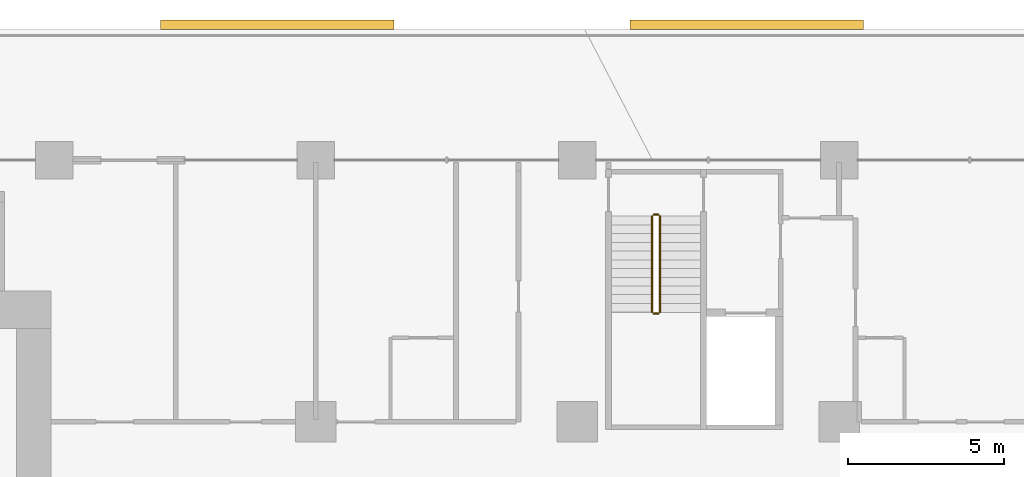
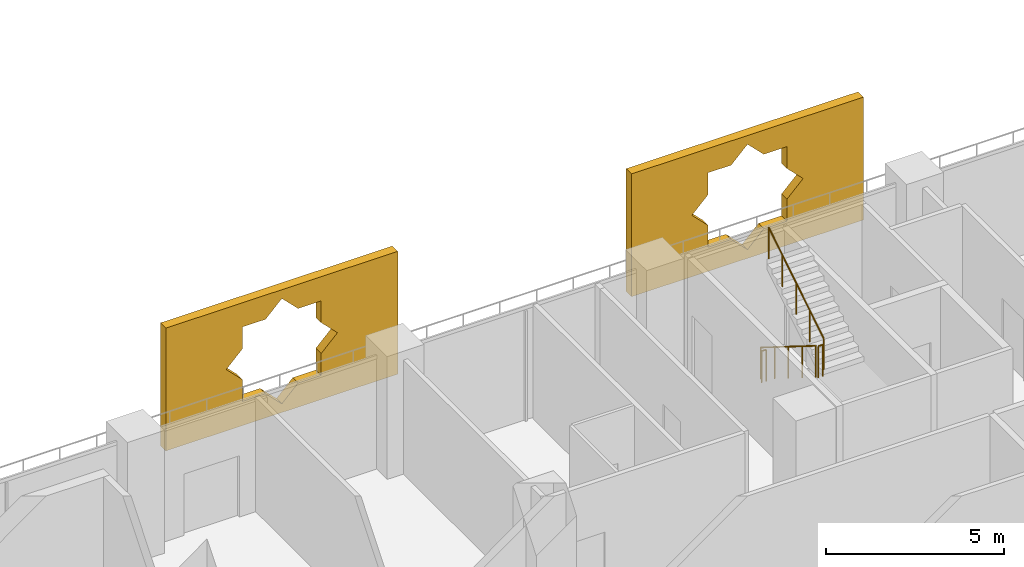
# One storey, part 25 of 26: 4 railings, 2 coverings.
"""IFC4 building model written with IfcOpenShell, lengths in metres."""

from ifc_helpers import new_model, si_unit, direction, frame, origin, origin_2d, place, context, subcontext, project, spatial, polyline, circle, outline, extrude, material, material_profile, profile_set, type_object, element, save


model = new_model("IFC4")

# Units and contexts
model_context = context("Model", 3, precision=1e-05, world=origin(), true_north=direction((0.0, 1.0)))
body_context = subcontext(model_context, "Body", "Model", "MODEL_VIEW")
ifc_project = project(units=[si_unit("LENGTHUNIT", "METRE"), si_unit("AREAUNIT", "SQUARE_METRE"), si_unit("VOLUMEUNIT", "CUBIC_METRE"), si_unit("PLANEANGLEUNIT", "RADIAN"), si_unit("MASSUNIT", "GRAM", prefix="KILO")], contexts=[model_context])

# Site, building, storey
site_placement = place(None, origin())
site = spatial("IfcSite", under=ifc_project, at=site_placement, CompositionType="ELEMENT")
building_placement = place(site_placement, origin())
building = spatial("IfcBuilding", under=site, at=building_placement, Name="Kawkab Arch Medical Tower", CompositionType="ELEMENT")
storey_placement = place(building_placement, frame((0.0, 0.0, 51.800048828125)))
storey = spatial("IfcBuildingStorey", under=building, at=storey_placement, Name="L11", CompositionType="ELEMENT", Elevation=51.800048828125)

# Coverings
ifc_material_1 = material(Name="Bronze anodised aluminium mashrabiya panel, eight-point star pattern", Category="aluminium")
ifc_material_profile = material_profile(ifc_material_1, outline(polyline([(-3.75, -2.10009765625), (3.75, -2.10009765625), (3.75, 2.10009765625), (-3.75, 2.10009765625), (-3.75, -2.10009765625)]), holes=[polyline([(1.800048828125, 0.0), (1.272705078125, 0.527099609375), (1.272705078125, 1.272705078125), (0.527099609375, 1.272705078125), (0.0, 1.800048828125), (-0.527099609375, 1.272705078125), (-1.272705078125, 1.272705078125), (-1.272705078125, 0.527099609375), (-1.800048828125, 0.0), (-1.272705078125, -0.527099609375), (-1.272705078125, -1.272705078125), (-0.527099609375, -1.272705078125), (0.0, -1.800048828125), (0.527099609375, -1.272705078125), (1.272705078125, -1.272705078125), (1.272705078125, -0.527099609375), (1.800048828125, 0.0)])]), Name="Mashrabiya panel 7500x4200")
ifc_profile_set = profile_set([ifc_material_profile], Name="Bronze anodised aluminium mashrabiya panel, eight-point star pattern")
covering_type = type_object("IfcCoveringType", Name="Mashrabiya panel 7500 x 4200", PredefinedType="USERDEFINED", material=ifc_profile_set)
for number, where, z_axis, x_axis, name in (
    (1, (32.367919921875, 4.199951171875, 1.699951171875), (0.0, 1.0, 0.0), (-1.0, 0.0, 0.0), "Mashrabiya panel L11.LOG-01-01.6"),
    (2, (47.43212890625, 4.199951171875, 1.699951171875), (0.0, 1.0, 0.0), (-1.0, 0.0, 0.0), "Mashrabiya panel L11.LOG-01-01.7"),
):
    element("IfcCovering", number, at=place(storey_placement, frame(where, z_axis=z_axis, x_axis=x_axis)), inside=storey, type_object=covering_type, Name=name, ObjectType="SCREEN", PredefinedType="USERDEFINED", context=body_context, shape_type="SweptSolid", body=[
        extrude(outline(polyline([(-3.75, -2.10009765625), (3.75, -2.10009765625), (3.75, 2.10009765625), (-3.75, 2.10009765625), (-3.75, -2.10009765625)]), holes=[polyline([(1.800048828125, 0.0), (1.272705078125, 0.527099609375), (1.272705078125, 1.272705078125), (0.527099609375, 1.272705078125), (0.0, 1.800048828125), (-0.527099609375, 1.272705078125), (-1.272705078125, 1.272705078125), (-1.272705078125, 0.527099609375), (-1.800048828125, 0.0), (-1.272705078125, -0.527099609375), (-1.272705078125, -1.272705078125), (-0.527099609375, -1.272705078125), (0.0, -1.800048828125), (0.527099609375, -1.272705078125), (1.272705078125, -1.272705078125), (1.272705078125, -0.527099609375), (1.800048828125, 0.0)])]), origin(), (0.0, 0.0, 1.0), 0.300048828125),
    ])

# Railings
ifc_material_2 = material(Name="Stainless steel", Category="steel")
railing_type = type_object("IfcRailingType", Name="Stair guard 1100", PredefinedType="GUARDRAIL", material=ifc_material_2)
railing_1_placement = place(storey_placement, frame((44.39990234375, -1.800048828125, 0.175048828125)))
element("IfcRailing", 3, at=railing_1_placement, inside=storey, type_object=railing_type, Name="L11 ST5 stair guard 1", PredefinedType="GUARDRAIL", context=body_context, shape_type="SweptSolid", body=[
    extrude(circle(Radius=0.02392578125, at=origin_2d()), frame((0.0, 0.0, 1.076171875), z_axis=(0.0, -0.848009633417, 0.529980812513), x_axis=(1.0, 0.0, 0.0)), (0.0, 0.0, 1.0), 3.6318359375),
    extrude(circle(Radius=0.02099609375, at=origin_2d()), origin(), (0.0, 0.0, 1.0), 1.052001953125),
    extrude(circle(Radius=0.02099609375, at=origin_2d()), frame((0.0, -0.77001953125, 0.481201171875)), (0.0, 0.0, 1.0), 1.052001953125),
    extrude(circle(Radius=0.02099609375, at=origin_2d()), frame((0.0, -1.5400390625, 0.96240234375)), (0.0, 0.0, 1.0), 1.052001953125),
    extrude(circle(Radius=0.02099609375, at=origin_2d()), frame((0.0, -2.309814453125, 1.443603515625)), (0.0, 0.0, 1.0), 1.052001953125),
    extrude(circle(Radius=0.02099609375, at=origin_2d()), frame((0.0, -3.079833984375, 1.9248046875)), (0.0, 0.0, 1.0), 1.052001953125),
])
railing_2_placement = place(storey_placement, frame((44.449951171875, -4.929931640625, 2.099853515625)))
element("IfcRailing", 4, at=railing_2_placement, inside=storey, type_object=railing_type, Name="L11 ST5 stair guard 2", PredefinedType="GUARDRAIL", context=body_context, shape_type="SweptSolid", body=[
    extrude(circle(Radius=0.02392578125, at=origin_2d()), frame((0.0, 0.0, 1.076171875), z_axis=(1.0, 0.0, 0.0), x_axis=(0.0, 1.0, 0.0)), (0.0, 0.0, 1.0), 0.150146484375),
    extrude(circle(Radius=0.02099609375, at=origin_2d()), origin(), (0.0, 0.0, 1.0), 1.052001953125),
    extrude(circle(Radius=0.02099609375, at=origin_2d()), frame((0.150146484375, 0.0, 0.0)), (0.0, 0.0, 1.0), 1.052001953125),
])
railing_3_placement = place(storey_placement, frame((44.64990234375, -4.8798828125, 2.27490234375)))
element("IfcRailing", 5, at=railing_3_placement, inside=storey, type_object=railing_type, Name="L11 ST5 stair guard 3", PredefinedType="GUARDRAIL", context=body_context, shape_type="SweptSolid", body=[
    extrude(circle(Radius=0.02392578125, at=origin_2d()), frame((0.0, 0.0, 1.076171875), z_axis=(0.0, 0.847979421464, 0.530029150871), x_axis=(-1.0, 0.0, 0.0)), (0.0, 0.0, 1.0), 3.632080078125),
    extrude(circle(Radius=0.02099609375, at=origin_2d()), origin(), (0.0, 0.0, 1.0), 1.052001953125),
    extrude(circle(Radius=0.02099609375, at=origin_2d()), frame((0.0, 0.77001953125, 0.481201171875)), (0.0, 0.0, 1.0), 1.052001953125),
    extrude(circle(Radius=0.02099609375, at=origin_2d()), frame((0.0, 1.5400390625, 0.96240234375)), (0.0, 0.0, 1.0), 1.052001953125),
    extrude(circle(Radius=0.02099609375, at=origin_2d()), frame((0.0, 2.309814453125, 1.44384765625)), (0.0, 0.0, 1.0), 1.052001953125),
    extrude(circle(Radius=0.02099609375, at=origin_2d()), frame((0.0, 3.079833984375, 1.925048828125)), (0.0, 0.0, 1.0), 1.052001953125),
])
railing_4_placement = place(storey_placement, frame((44.449951171875, -1.75, 0.0)))
element("IfcRailing", 6, at=railing_4_placement, inside=storey, type_object=railing_type, Name="L11 ST5 stair guard 4", PredefinedType="GUARDRAIL", context=body_context, shape_type="SweptSolid", body=[
    extrude(circle(Radius=0.02392578125, at=origin_2d()), frame((0.0, 0.0, 1.076171875), z_axis=(1.0, 0.0, 0.0), x_axis=(0.0, 1.0, 0.0)), (0.0, 0.0, 1.0), 0.150146484375),
    extrude(circle(Radius=0.02099609375, at=origin_2d()), origin(), (0.0, 0.0, 1.0), 1.052001953125),
    extrude(circle(Radius=0.02099609375, at=origin_2d()), frame((0.150146484375, 0.0, 0.0)), (0.0, 0.0, 1.0), 1.052001953125),
])

save(model, "model.ifc")
